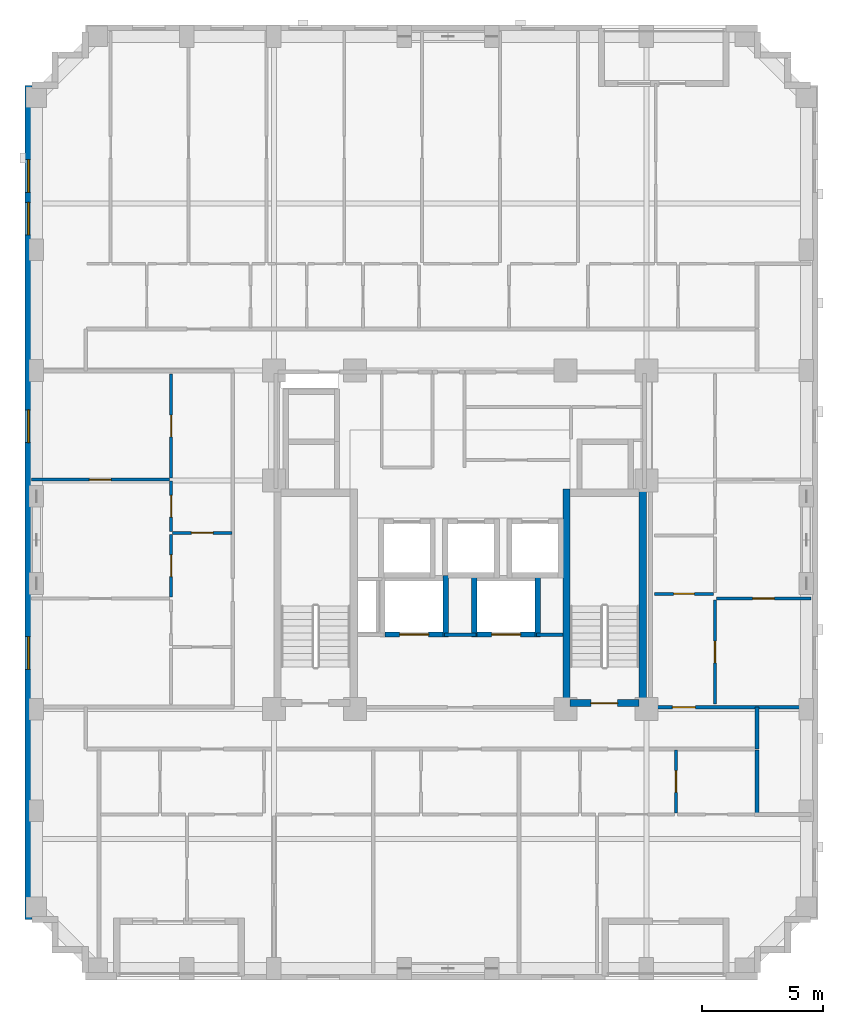
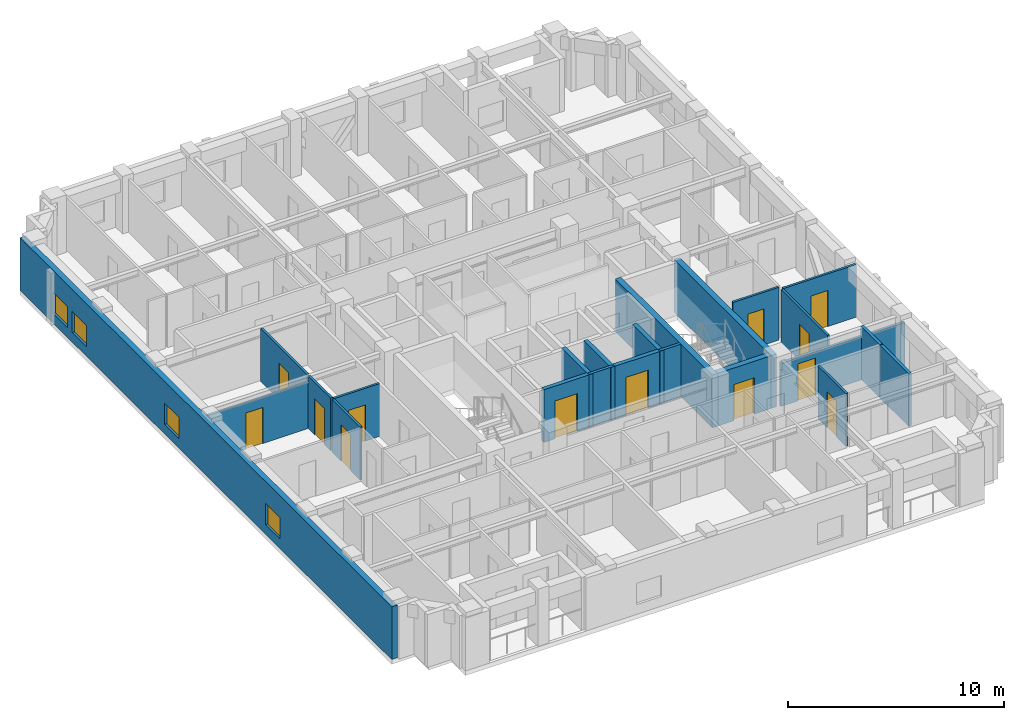
# One storey, part 4 of 11: 23 walls, 13 doors, 4 windows, 17 openings.
"""IFC4 building model written with IfcOpenShell, lengths in metres."""

from ifc_helpers import new_model, si_unit, derived_unit, direction, frame, frame_2d, origin, place, context, subcontext, project, spatial, rectangle, extrude, material, layer, layer_set, type_object, element, fill, save


model = new_model("IFC4")

# Units and contexts
model_context = context("Model", 3, precision=1e-05, world=origin(), true_north=direction((0.0, 1.0)))
body_context = subcontext(model_context, "Body", "Model", "MODEL_VIEW")
ifc_project = project(units=[si_unit("LENGTHUNIT", "METRE"), si_unit("AREAUNIT", "SQUARE_METRE"), si_unit("VOLUMEUNIT", "CUBIC_METRE"), si_unit("PLANEANGLEUNIT", "RADIAN"), si_unit("MASSUNIT", "GRAM", prefix="KILO"), derived_unit("THERMALTRANSMITTANCEUNIT", [(si_unit("MASSUNIT", "GRAM", prefix="KILO"), 1), (si_unit("TIMEUNIT", "SECOND"), -3), (si_unit("THERMODYNAMICTEMPERATUREUNIT", "KELVIN"), -1)])], contexts=[model_context])

# Site, building, storey
site_placement = place(None, origin())
site = spatial("IfcSite", under=ifc_project, at=site_placement, CompositionType="ELEMENT")
building_placement = place(site_placement, origin())
building = spatial("IfcBuilding", under=site, at=building_placement, Name="Korrvale Station Residences", CompositionType="ELEMENT")
storey_placement = place(building_placement, frame((0.0, 0.0, 156.89990234375)))
storey = spatial("IfcBuildingStorey", under=building, at=storey_placement, Name="L45", CompositionType="ELEMENT", Elevation=156.89990234375)

# Walls
ifc_material_1 = material(Name="Concrete C60/75", Category="concrete")
ifc_layer_1 = layer(ifc_material_1, 0.300048828125, Name="Concrete C60/75")
ifc_layer_set_1 = layer_set([ifc_layer_1], Name="Concrete C60/75")
wall_type_1 = type_object("IfcWallType", Name="WAL-CORE-300-C60", PredefinedType="SHEAR", material=ifc_layer_set_1)
for number, where, z_axis, x_axis, name in (
    (1, (29.89990234375, 15.10009765625, 0.0), (0.0, 0.0, 1.0), (0.0, 1.0, 0.0), "L45 ST-2 Core Shear Wall West"),
    (2, (33.050048828125, 15.10009765625, 0.0), (0.0, 0.0, 1.0), (0.0, 1.0, 0.0), "L45 ST-2 Core Shear Wall East"),
):
    element("IfcWall", number, at=place(storey_placement, frame(where, z_axis=z_axis, x_axis=x_axis)), inside=storey, type_object=wall_type_1, Name=name, PredefinedType="SHEAR", context=body_context, shape_type="SweptSolid", body=[
        extrude(rectangle(XDim=9.0, YDim=0.300048828125, at=frame_2d((4.5, 0.0))), origin(), (0.0, 0.0, 1.0), 2.989990234375),
    ])

# Wall, opening, door
wall_1_placement = place(storey_placement, frame((30.050048828125, 15.25, 0.0), z_axis=(0.0, 0.0, 1.0), x_axis=(1.0, 0.0, 0.0)))
wall_1 = element("IfcWall", 3, at=wall_1_placement, inside=storey, type_object=wall_type_1, Name="L45 ST-2 Core Shear Wall South", PredefinedType="SHEAR", context=body_context, shape_type="SweptSolid", body=[
    extrude(rectangle(XDim=2.849853515625, YDim=0.300048828125, at=frame_2d((1.4248046875, 0.0))), origin(), (0.0, 0.0, 1.0), 2.989990234375),
])
opening_1_placement = place(wall_1_placement, frame((0.860107421875, 0.0, 0.0)))
opening_1 = element("IfcOpeningElement", 4, at=opening_1_placement, cuts=wall_1, Name="Opening SD-1100", PredefinedType="OPENING", context=body_context, shape_type="SweptSolid", body=[
    extrude(rectangle(XDim=1.10009765625, YDim=2.050048828125, at=frame_2d((0.550048828125, 1.02490234375))), frame((0.0, 0.16015625, 0.0), z_axis=(0.0, -1.0, 0.0), x_axis=(1.0, 0.0, 0.0)), (0.0, 0.0, 1.0), 0.320068359375),
])
ifc_material_2 = material(Name="Hollow-metal fire-rated stair door with closer", Category="steel")
door_type_1 = type_object("IfcDoorType", Name="DR-STAIR-1100", OperationType="NOTDEFINED", PredefinedType="DOOR", material=ifc_material_2)
door_1_placement = place(opening_1_placement, origin())
door_1 = element("IfcDoor", 5, at=door_1_placement, inside=storey, type_object=door_type_1, Name="L45 ST-2 Exit Stair Door", OperationType="SINGLE_SWING_RIGHT", OverallHeight=2.050048828125, OverallWidth=1.10009765625, PredefinedType="DOOR", context=body_context, shape_type="SweptSolid", body=[
    extrude(rectangle(XDim=1.10009765625, YDim=2.050048828125, at=frame_2d((0.550048828125, 1.02490234375))), frame((0.0, 0.02490234375, 0.0), z_axis=(0.0, -1.0, 0.0), x_axis=(1.0, 0.0, 0.0)), (0.0, 0.0, 1.0), 0.050048828125),
])
fill(opening_1, door_1)

# Wall, openings, windows
ifc_material_3 = material(Name="Precast concrete C45/55", Category="concrete")
ifc_layer_2 = layer(ifc_material_3, 0.300048828125, Name="Precast concrete C45/55")
ifc_layer_set_2 = layer_set([ifc_layer_2], Name="Precast concrete C45/55")
wall_type_2 = type_object("IfcWallType", Name="WAL-EXT-PC300", PredefinedType="SOLIDWALL", material=ifc_layer_set_2)
wall_2_placement = place(storey_placement, frame((7.64990234375, 6.300048828125, 0.0), z_axis=(0.0, 0.0, 1.0), x_axis=(0.0, 1.0, 0.0)))
wall_2 = element("IfcWall", 6, at=wall_2_placement, inside=storey, type_object=wall_type_2, Name="L45 West Exterior Precast Wall 1", PredefinedType="SOLIDWALL", context=body_context, shape_type="SweptSolid", body=[
    extrude(rectangle(XDim=34.5, YDim=0.300048828125, at=frame_2d((17.25, 0.0))), origin(), (0.0, 0.0, 1.0), 2.989990234375),
])
opening_2_placement = place(wall_2_placement, frame((30.074951171875, 0.0, 0.550048828125)))
opening_2 = element("IfcOpeningElement", 7, at=opening_2_placement, cuts=wall_2, Name="Opening W-10", PredefinedType="OPENING", context=body_context, shape_type="SweptSolid", body=[
    extrude(rectangle(XDim=1.35009765625, YDim=1.199951171875, at=frame_2d((0.675048828125, 0.60009765625))), frame((0.0, 0.16015625, 0.0), z_axis=(0.0, -1.0, 0.0), x_axis=(1.0, 0.0, 0.0)), (0.0, 0.0, 1.0), 0.320068359375),
])
opening_3_placement = place(wall_2_placement, frame((28.31005859375, 0.0, 0.550048828125)))
opening_3 = element("IfcOpeningElement", 8, at=opening_3_placement, cuts=wall_2, Name="Opening W-10", PredefinedType="OPENING", context=body_context, shape_type="SweptSolid", body=[
    extrude(rectangle(XDim=1.35009765625, YDim=1.199951171875, at=frame_2d((0.675048828125, 0.60009765625))), frame((0.0, 0.16015625, 0.0), z_axis=(0.0, -1.0, 0.0), x_axis=(1.0, 0.0, 0.0)), (0.0, 0.0, 1.0), 0.320068359375),
])
opening_4_placement = place(wall_2_placement, frame((10.35009765625, 0.0, 0.550048828125)))
opening_4 = element("IfcOpeningElement", 9, at=opening_4_placement, cuts=wall_2, Name="Opening W-10", PredefinedType="OPENING", context=body_context, shape_type="SweptSolid", body=[
    extrude(rectangle(XDim=1.35009765625, YDim=1.199951171875, at=frame_2d((0.675048828125, 0.60009765625))), frame((0.0, 0.16015625, 0.0), z_axis=(0.0, -1.0, 0.0), x_axis=(1.0, 0.0, 0.0)), (0.0, 0.0, 1.0), 0.320068359375),
])
opening_5_placement = place(wall_2_placement, frame((19.72509765625, 0.0, 0.550048828125)))
opening_5 = element("IfcOpeningElement", 10, at=opening_5_placement, cuts=wall_2, Name="Opening W-10", PredefinedType="OPENING", context=body_context, shape_type="SweptSolid", body=[
    extrude(rectangle(XDim=1.35009765625, YDim=1.199951171875, at=frame_2d((0.675048828125, 0.60009765625))), frame((0.0, 0.16015625, 0.0), z_axis=(0.0, -1.0, 0.0), x_axis=(1.0, 0.0, 0.0)), (0.0, 0.0, 1.0), 0.320068359375),
])
ifc_material_4 = material(Name="Thermally broken aluminium frame with triple low-e glazing", Category="aluminium")
window_type = type_object("IfcWindowType", Name="WIN-W10", PartitioningType="SINGLE_PANEL", PredefinedType="WINDOW", material=ifc_material_4)
window_1_placement = place(opening_2_placement, origin())
window_1 = element("IfcWindow", 11, at=window_1_placement, inside=storey, type_object=window_type, Name="L45 Punched Window 06", OverallHeight=1.199951171875, OverallWidth=1.35009765625, PartitioningType="SINGLE_PANEL", PredefinedType="WINDOW", context=body_context, shape_type="SweptSolid", body=[
    extrude(rectangle(XDim=1.35009765625, YDim=1.199951171875, at=frame_2d((0.675048828125, 0.60009765625))), frame((0.0, 0.030029296875, 0.0), z_axis=(0.0, -1.0, 0.0), x_axis=(1.0, 0.0, 0.0)), (0.0, 0.0, 1.0), 0.06005859375),
])
fill(opening_2, window_1)
window_2_placement = place(opening_3_placement, origin())
window_2 = element("IfcWindow", 12, at=window_2_placement, inside=storey, type_object=window_type, Name="L45 Punched Window 07", OverallHeight=1.199951171875, OverallWidth=1.35009765625, PartitioningType="SINGLE_PANEL", PredefinedType="WINDOW", context=body_context, shape_type="SweptSolid", body=[
    extrude(rectangle(XDim=1.35009765625, YDim=1.199951171875, at=frame_2d((0.675048828125, 0.60009765625))), frame((0.0, 0.030029296875, 0.0), z_axis=(0.0, -1.0, 0.0), x_axis=(1.0, 0.0, 0.0)), (0.0, 0.0, 1.0), 0.06005859375),
])
fill(opening_3, window_2)
window_3_placement = place(opening_4_placement, origin())
window_3 = element("IfcWindow", 13, at=window_3_placement, inside=storey, type_object=window_type, Name="L45 Punched Window 16", OverallHeight=1.199951171875, OverallWidth=1.35009765625, PartitioningType="SINGLE_PANEL", PredefinedType="WINDOW", context=body_context, shape_type="SweptSolid", body=[
    extrude(rectangle(XDim=1.35009765625, YDim=1.199951171875, at=frame_2d((0.675048828125, 0.60009765625))), frame((0.0, 0.030029296875, 0.0), z_axis=(0.0, -1.0, 0.0), x_axis=(1.0, 0.0, 0.0)), (0.0, 0.0, 1.0), 0.06005859375),
])
fill(opening_4, window_3)
window_4_placement = place(opening_5_placement, origin())
window_4 = element("IfcWindow", 14, at=window_4_placement, inside=storey, type_object=window_type, Name="L45 Punched Window 17", OverallHeight=1.199951171875, OverallWidth=1.35009765625, PartitioningType="SINGLE_PANEL", PredefinedType="WINDOW", context=body_context, shape_type="SweptSolid", body=[
    extrude(rectangle(XDim=1.35009765625, YDim=1.199951171875, at=frame_2d((0.675048828125, 0.60009765625))), frame((0.0, 0.030029296875, 0.0), z_axis=(0.0, -1.0, 0.0), x_axis=(1.0, 0.0, 0.0)), (0.0, 0.0, 1.0), 0.06005859375),
])
fill(opening_5, window_4)

# Wall, opening, door
ifc_material_5 = material(Name="Acoustic steel-stud gypsum board partition", Category="steel")
ifc_layer_3 = layer(ifc_material_5, 0.1201171875, Name="Acoustic steel-stud gypsum board partition")
ifc_layer_set_3 = layer_set([ifc_layer_3], Name="Acoustic steel-stud gypsum board partition")
wall_type_3 = type_object("IfcWallType", Name="WAL-PART-125", PredefinedType="PARTITIONING", material=ifc_layer_set_3)
wall_3_placement = place(storey_placement, frame((34.429931640625, 10.7099609375, 0.0), z_axis=(0.0, 0.0, 1.0), x_axis=(0.0, 1.0, 0.0)))
wall_3 = element("IfcWall", 15, at=wall_3_placement, inside=storey, type_object=wall_type_3, Name="L45 Suite Partition U03-V12", PredefinedType="PARTITIONING", context=body_context, shape_type="SweptSolid", body=[
    extrude(rectangle(XDim=2.60009765625, YDim=0.1201171875, at=frame_2d((1.300048828125, 0.0))), origin(), (0.0, 0.0, 1.0), 2.989990234375),
])
opening_6_placement = place(wall_3_placement, frame((0.85009765625, 0.0, 0.0)))
opening_6 = element("IfcOpeningElement", 16, at=opening_6_placement, cuts=wall_3, Name="Opening DI-900", PredefinedType="OPENING", context=body_context, shape_type="SweptSolid", body=[
    extrude(rectangle(XDim=0.89990234375, YDim=2.050048828125, at=frame_2d((0.449951171875, 1.02490234375))), frame((0.0, 0.070068359375, 0.0), z_axis=(0.0, -1.0, 0.0), x_axis=(1.0, 0.0, 0.0)), (0.0, 0.0, 1.0), 0.14013671875),
])
ifc_material_6 = material(Name="Painted solid-core timber interior room door", Category="wood")
door_type_2 = type_object("IfcDoorType", Name="DR-INT-900", OperationType="NOTDEFINED", PredefinedType="DOOR", material=ifc_material_6)
door_2_placement = place(opening_6_placement, origin())
door_2 = element("IfcDoor", 17, at=door_2_placement, inside=storey, type_object=door_type_2, Name="L45 Studio Apartment L45-U03 Kitchen Door", OperationType="SINGLE_SWING_RIGHT", OverallHeight=2.050048828125, OverallWidth=0.89990234375, PredefinedType="DOOR", context=body_context, shape_type="SweptSolid", body=[
    extrude(rectangle(XDim=0.89990234375, YDim=2.050048828125, at=frame_2d((0.449951171875, 1.02490234375))), frame((0.0, 0.02490234375, 0.0), z_axis=(0.0, -1.0, 0.0), x_axis=(1.0, 0.0, 0.0)), (0.0, 0.0, 1.0), 0.050048828125),
])
fill(opening_6, door_2)

wall_4_placement = place(storey_placement, frame((13.610107421875, 22.2900390625, 0.0), z_axis=(0.0, 0.0, 1.0), x_axis=(1.0, 0.0, 0.0)))
wall_4 = element("IfcWall", 18, at=wall_4_placement, inside=storey, type_object=wall_type_3, Name="L45 Suite Partition U05-H02", PredefinedType="PARTITIONING", context=body_context, shape_type="SweptSolid", body=[
    extrude(rectangle(XDim=2.449951171875, YDim=0.1201171875, at=frame_2d((1.22509765625, 0.0))), origin(), (0.0, 0.0, 1.0), 2.989990234375),
])
opening_7_placement = place(wall_4_placement, frame((0.77490234375, 0.0, 0.0)))
opening_7 = element("IfcOpeningElement", 19, at=opening_7_placement, cuts=wall_4, Name="Opening DI-900", PredefinedType="OPENING", context=body_context, shape_type="SweptSolid", body=[
    extrude(rectangle(XDim=0.89990234375, YDim=2.050048828125, at=frame_2d((0.449951171875, 1.02490234375))), frame((0.0, 0.070068359375, 0.0), z_axis=(0.0, -1.0, 0.0), x_axis=(1.0, 0.0, 0.0)), (0.0, 0.0, 1.0), 0.14013671875),
])
door_3_placement = place(opening_7_placement, origin())
door_3 = element("IfcDoor", 20, at=door_3_placement, inside=storey, type_object=door_type_2, Name="L45 Apartment 2BR L45-U05 Wardrobe Storage Room Door", OperationType="SINGLE_SWING_LEFT", OverallHeight=2.050048828125, OverallWidth=0.89990234375, PredefinedType="DOOR", context=body_context, shape_type="SweptSolid", body=[
    extrude(rectangle(XDim=0.89990234375, YDim=2.050048828125, at=frame_2d((0.449951171875, 1.02490234375))), frame((0.0, 0.02490234375, 0.0), z_axis=(0.0, -1.0, 0.0), x_axis=(1.0, 0.0, 0.0)), (0.0, 0.0, 1.0), 0.050048828125),
])
fill(opening_7, door_3)

wall_5_placement = place(storey_placement, frame((13.550048828125, 22.35009765625, 0.0), z_axis=(0.0, 0.0, 1.0), x_axis=(0.0, 1.0, 0.0)))
wall_5 = element("IfcWall", 21, at=wall_5_placement, inside=storey, type_object=wall_type_3, Name="L45 Suite Partition U05-V04", PredefinedType="PARTITIONING", context=body_context, shape_type="SweptSolid", body=[
    extrude(rectangle(XDim=2.081787109375, YDim=0.1201171875, at=frame_2d((1.041015625, 0.0))), origin(), (0.0, 0.0, 1.0), 2.989990234375),
])
opening_8_placement = place(wall_5_placement, frame((0.591064453125, 0.0, 0.0)))
opening_8 = element("IfcOpeningElement", 22, at=opening_8_placement, cuts=wall_5, Name="Opening DI-900", PredefinedType="OPENING", context=body_context, shape_type="SweptSolid", body=[
    extrude(rectangle(XDim=0.89990234375, YDim=2.050048828125, at=frame_2d((0.449951171875, 1.02490234375))), frame((0.0, 0.070068359375, 0.0), z_axis=(0.0, -1.0, 0.0), x_axis=(1.0, 0.0, 0.0)), (0.0, 0.0, 1.0), 0.14013671875),
])
door_4_placement = place(opening_8_placement, origin())
door_4 = element("IfcDoor", 23, at=door_4_placement, inside=storey, type_object=door_type_2, Name="L45 Apartment 2BR L45-U05 Wardrobe Storage Room Door", OperationType="SINGLE_SWING_RIGHT", OverallHeight=2.050048828125, OverallWidth=0.89990234375, PredefinedType="DOOR", context=body_context, shape_type="SweptSolid", body=[
    extrude(rectangle(XDim=0.89990234375, YDim=2.050048828125, at=frame_2d((0.449951171875, 1.02490234375))), frame((0.0, 0.02490234375, 0.0), z_axis=(0.0, -1.0, 0.0), x_axis=(1.0, 0.0, 0.0)), (0.0, 0.0, 1.0), 0.050048828125),
])
fill(opening_8, door_4)

wall_6_placement = place(storey_placement, frame((13.550048828125, 24.552001953125, 0.0), z_axis=(0.0, 0.0, 1.0), x_axis=(0.0, 1.0, 0.0)))
wall_6 = element("IfcWall", 24, at=wall_6_placement, inside=storey, type_object=wall_type_3, Name="L45 Suite Partition U05-V05", PredefinedType="PARTITIONING", context=body_context, shape_type="SweptSolid", body=[
    extrude(rectangle(XDim=4.30810546875, YDim=0.1201171875, at=frame_2d((2.154052734375, 0.0))), origin(), (0.0, 0.0, 1.0), 2.989990234375),
])
opening_9_placement = place(wall_6_placement, frame((1.7041015625, 0.0, 0.0)))
opening_9 = element("IfcOpeningElement", 25, at=opening_9_placement, cuts=wall_6, Name="Opening DI-900", PredefinedType="OPENING", context=body_context, shape_type="SweptSolid", body=[
    extrude(rectangle(XDim=0.89990234375, YDim=2.050048828125, at=frame_2d((0.449951171875, 1.02490234375))), frame((0.0, 0.070068359375, 0.0), z_axis=(0.0, -1.0, 0.0), x_axis=(1.0, 0.0, 0.0)), (0.0, 0.0, 1.0), 0.14013671875),
])
door_5_placement = place(opening_9_placement, origin())
door_5 = element("IfcDoor", 26, at=door_5_placement, inside=storey, type_object=door_type_2, Name="L45 Apartment 2BR L45-U05 Wardrobe Storage Room Door", OperationType="SINGLE_SWING_LEFT", OverallHeight=2.050048828125, OverallWidth=0.89990234375, PredefinedType="DOOR", context=body_context, shape_type="SweptSolid", body=[
    extrude(rectangle(XDim=0.89990234375, YDim=2.050048828125, at=frame_2d((0.449951171875, 1.02490234375))), frame((0.0, 0.02490234375, 0.0), z_axis=(0.0, -1.0, 0.0), x_axis=(1.0, 0.0, 0.0)), (0.0, 0.0, 1.0), 0.050048828125),
])
fill(opening_9, door_5)

wall_7_placement = place(storey_placement, frame((13.550048828125, 19.637939453125, 0.0), z_axis=(0.0, 0.0, 1.0), x_axis=(0.0, 1.0, 0.0)))
wall_7 = element("IfcWall", 27, at=wall_7_placement, inside=storey, type_object=wall_type_3, Name="L45 Suite Partition U05-V24", PredefinedType="PARTITIONING", context=body_context, shape_type="SweptSolid", body=[
    extrude(rectangle(XDim=2.592041015625, YDim=0.1201171875, at=frame_2d((1.2958984375, 0.0))), origin(), (0.0, 0.0, 1.0), 2.989990234375),
])
opening_10_placement = place(wall_7_placement, frame((0.845947265625, 0.0, 0.0)))
opening_10 = element("IfcOpeningElement", 28, at=opening_10_placement, cuts=wall_7, Name="Opening DI-900", PredefinedType="OPENING", context=body_context, shape_type="SweptSolid", body=[
    extrude(rectangle(XDim=0.89990234375, YDim=2.050048828125, at=frame_2d((0.449951171875, 1.02490234375))), frame((0.0, 0.070068359375, 0.0), z_axis=(0.0, -1.0, 0.0), x_axis=(1.0, 0.0, 0.0)), (0.0, 0.0, 1.0), 0.14013671875),
])
door_6_placement = place(opening_10_placement, origin())
door_6 = element("IfcDoor", 29, at=door_6_placement, inside=storey, type_object=door_type_2, Name="L45 Apartment 2BR L45-U05 Kitchen Door", OperationType="SINGLE_SWING_RIGHT", OverallHeight=2.050048828125, OverallWidth=0.89990234375, PredefinedType="DOOR", context=body_context, shape_type="SweptSolid", body=[
    extrude(rectangle(XDim=0.89990234375, YDim=2.050048828125, at=frame_2d((0.449951171875, 1.02490234375))), frame((0.0, 0.02490234375, 0.0), z_axis=(0.0, -1.0, 0.0), x_axis=(1.0, 0.0, 0.0)), (0.0, 0.0, 1.0), 0.050048828125),
])
fill(opening_10, door_6)

wall_8_placement = place(storey_placement, frame((7.780029296875, 24.491943359375, 0.0), z_axis=(0.0, 0.0, 1.0), x_axis=(1.0, 0.0, 0.0)))
wall_8 = element("IfcWall", 30, at=wall_8_placement, inside=storey, type_object=wall_type_3, Name="L45 Suite Partition U05-H45", PredefinedType="PARTITIONING", context=body_context, shape_type="SweptSolid", body=[
    extrude(rectangle(XDim=5.7099609375, YDim=0.1201171875, at=frame_2d((2.85498046875, 0.0))), origin(), (0.0, 0.0, 1.0), 2.62109375),
])
opening_11_placement = place(wall_8_placement, frame((2.389892578125, 0.0, 0.0)))
opening_11 = element("IfcOpeningElement", 31, at=opening_11_placement, cuts=wall_8, Name="Opening DI-900", PredefinedType="OPENING", context=body_context, shape_type="SweptSolid", body=[
    extrude(rectangle(XDim=0.89990234375, YDim=2.050048828125, at=frame_2d((0.449951171875, 1.02490234375))), frame((0.0, 0.070068359375, 0.0), z_axis=(0.0, -1.0, 0.0), x_axis=(1.0, 0.0, 0.0)), (0.0, 0.0, 1.0), 0.14013671875),
])
door_7_placement = place(opening_11_placement, origin())
door_7 = element("IfcDoor", 32, at=door_7_placement, inside=storey, type_object=door_type_2, Name="L45 Apartment 2BR L45-U05 Living and Dining Room Door", OperationType="SINGLE_SWING_RIGHT", OverallHeight=2.050048828125, OverallWidth=0.89990234375, PredefinedType="DOOR", context=body_context, shape_type="SweptSolid", body=[
    extrude(rectangle(XDim=0.89990234375, YDim=2.050048828125, at=frame_2d((0.449951171875, 1.02490234375))), frame((0.0, 0.02490234375, 0.0), z_axis=(0.0, -1.0, 0.0), x_axis=(1.0, 0.0, 0.0)), (0.0, 0.0, 1.0), 0.050048828125),
])
fill(opening_11, door_7)

wall_9_placement = place(storey_placement, frame((33.530029296875, 19.77001953125, 0.0), z_axis=(0.0, 0.0, 1.0), x_axis=(1.0, 0.0, 0.0)))
wall_9 = element("IfcWall", 33, at=wall_9_placement, inside=storey, type_object=wall_type_3, Name="L45 Suite Partition U06-H12", PredefinedType="PARTITIONING", context=body_context, shape_type="SweptSolid", body=[
    extrude(rectangle(XDim=2.449951171875, YDim=0.1201171875, at=frame_2d((1.22509765625, 0.0))), origin(), (0.0, 0.0, 1.0), 2.989990234375),
])
opening_12_placement = place(wall_9_placement, frame((0.794921875, 0.0, 0.0)))
opening_12 = element("IfcOpeningElement", 34, at=opening_12_placement, cuts=wall_9, Name="Opening DB-860", PredefinedType="OPENING", context=body_context, shape_type="SweptSolid", body=[
    extrude(rectangle(XDim=0.860107421875, YDim=2.050048828125, at=frame_2d((0.43017578125, 1.02490234375))), frame((0.0, 0.070068359375, 0.0), z_axis=(0.0, -1.0, 0.0), x_axis=(1.0, 0.0, 0.0)), (0.0, 0.0, 1.0), 0.14013671875),
])
ifc_material_7 = material(Name="Moisture-resistant solid-core bathroom door", Category="timber")
door_type_3 = type_object("IfcDoorType", Name="DR-BATH-860", OperationType="NOTDEFINED", PredefinedType="DOOR", material=ifc_material_7)
door_8_placement = place(opening_12_placement, origin())
door_8 = element("IfcDoor", 35, at=door_8_placement, inside=storey, type_object=door_type_3, Name="L45 Apartment 2BR L45-U06 Bathroom Door", OperationType="SINGLE_SWING_RIGHT", OverallHeight=2.050048828125, OverallWidth=0.860107421875, PredefinedType="DOOR", context=body_context, shape_type="SweptSolid", body=[
    extrude(rectangle(XDim=0.860107421875, YDim=2.050048828125, at=frame_2d((0.43017578125, 1.02490234375))), frame((0.0, 0.02490234375, 0.0), z_axis=(0.0, -1.0, 0.0), x_axis=(1.0, 0.0, 0.0)), (0.0, 0.0, 1.0), 0.050048828125),
])
fill(opening_12, door_8)

wall_10_placement = place(storey_placement, frame((36.0400390625, 15.2099609375, 0.0), z_axis=(0.0, 0.0, 1.0), x_axis=(0.0, 1.0, 0.0)))
wall_10 = element("IfcWall", 36, at=wall_10_placement, inside=storey, type_object=wall_type_3, Name="L45 Suite Partition U06-V23", PredefinedType="PARTITIONING", context=body_context, shape_type="SweptSolid", body=[
    extrude(rectangle(XDim=4.30810546875, YDim=0.1201171875, at=frame_2d((2.154052734375, 0.0))), origin(), (0.0, 0.0, 1.0), 2.989990234375),
])
opening_13_placement = place(wall_10_placement, frame((1.7041015625, 0.0, 0.0)))
opening_13 = element("IfcOpeningElement", 37, at=opening_13_placement, cuts=wall_10, Name="Opening DI-900", PredefinedType="OPENING", context=body_context, shape_type="SweptSolid", body=[
    extrude(rectangle(XDim=0.89990234375, YDim=2.050048828125, at=frame_2d((0.449951171875, 1.02490234375))), frame((0.0, 0.070068359375, 0.0), z_axis=(0.0, -1.0, 0.0), x_axis=(1.0, 0.0, 0.0)), (0.0, 0.0, 1.0), 0.14013671875),
])
door_9_placement = place(opening_13_placement, origin())
door_9 = element("IfcDoor", 38, at=door_9_placement, inside=storey, type_object=door_type_2, Name="L45 Apartment 2BR L45-U06 Kitchen Door", OperationType="SINGLE_SWING_LEFT", OverallHeight=2.050048828125, OverallWidth=0.89990234375, PredefinedType="DOOR", context=body_context, shape_type="SweptSolid", body=[
    extrude(rectangle(XDim=0.89990234375, YDim=2.050048828125, at=frame_2d((0.449951171875, 1.02490234375))), frame((0.0, 0.02490234375, 0.0), z_axis=(0.0, -1.0, 0.0), x_axis=(1.0, 0.0, 0.0)), (0.0, 0.0, 1.0), 0.050048828125),
])
fill(opening_13, door_9)

wall_11_placement = place(storey_placement, frame((36.10009765625, 19.577880859375, 0.0), z_axis=(0.0, 0.0, 1.0), x_axis=(1.0, 0.0, 0.0)))
wall_11 = element("IfcWall", 39, at=wall_11_placement, inside=storey, type_object=wall_type_3, Name="L45 Suite Partition U06-H34", PredefinedType="PARTITIONING", context=body_context, shape_type="SweptSolid", body=[
    extrude(rectangle(XDim=3.919921875, YDim=0.1201171875, at=frame_2d((1.9599609375, 0.0))), origin(), (0.0, 0.0, 1.0), 2.989990234375),
])
opening_14_placement = place(wall_11_placement, frame((1.4951171875, 0.0, 0.0)))
opening_14 = element("IfcOpeningElement", 40, at=opening_14_placement, cuts=wall_11, Name="Opening DI-900", PredefinedType="OPENING", context=body_context, shape_type="SweptSolid", body=[
    extrude(rectangle(XDim=0.89990234375, YDim=2.050048828125, at=frame_2d((0.449951171875, 1.02490234375))), frame((0.0, 0.070068359375, 0.0), z_axis=(0.0, -1.0, 0.0), x_axis=(1.0, 0.0, 0.0)), (0.0, 0.0, 1.0), 0.14013671875),
])
door_10_placement = place(opening_14_placement, origin())
door_10 = element("IfcDoor", 41, at=door_10_placement, inside=storey, type_object=door_type_2, Name="L45 Apartment 2BR L45-U06 Bedroom 1 Door", OperationType="SINGLE_SWING_RIGHT", OverallHeight=2.050048828125, OverallWidth=0.89990234375, PredefinedType="DOOR", context=body_context, shape_type="SweptSolid", body=[
    extrude(rectangle(XDim=0.89990234375, YDim=2.050048828125, at=frame_2d((0.449951171875, 1.02490234375))), frame((0.0, 0.02490234375, 0.0), z_axis=(0.0, -1.0, 0.0), x_axis=(1.0, 0.0, 0.0)), (0.0, 0.0, 1.0), 0.050048828125),
])
fill(opening_14, door_10)

# Walls
ifc_material_8 = material(Name="Fire-rated twin-stud gypsum and mineral wool shaftwall assembly", Category="gypsum")
ifc_layer_4 = layer(ifc_material_8, 0.159912109375, Name="Fire-rated twin-stud gypsum and mineral wool shaftwall assembly")
ifc_layer_set_4 = layer_set([ifc_layer_4], Name="Fire-rated twin-stud gypsum and mineral wool shaftwall assembly")
wall_type_4 = type_object("IfcWallType", Name="WAL-PART-200", PredefinedType="PARTITIONING", material=ifc_layer_set_4)
wall_12_placement = place(storey_placement, frame((24.85009765625, 18.080078125, 0.0), z_axis=(0.0, 0.0, 1.0), x_axis=(1.0, 0.0, 0.0)))
element("IfcWall", 42, at=wall_12_placement, inside=storey, type_object=wall_type_4, Name="L45 Core Partition CW-FFL-N2", PredefinedType="PARTITIONING", context=body_context, shape_type="SweptSolid", body=[
    extrude(rectangle(XDim=1.2998046875, YDim=0.159912109375, at=frame_2d((0.64990234375, 0.0))), origin(), (0.0, 0.0, 1.0), 2.989990234375),
])
wall_13_placement = place(storey_placement, frame((28.64990234375, 18.080078125, 0.0), z_axis=(0.0, 0.0, 1.0), x_axis=(1.0, 0.0, 0.0)))
element("IfcWall", 43, at=wall_13_placement, inside=storey, type_object=wall_type_4, Name="L45 Core Partition CW-FFL-N3", PredefinedType="PARTITIONING", context=body_context, shape_type="SweptSolid", body=[
    extrude(rectangle(XDim=1.10009765625, YDim=0.159912109375, at=frame_2d((0.550048828125, 0.0))), origin(), (0.0, 0.0, 1.0), 2.989990234375),
])
wall_14_placement = place(storey_placement, frame((37.780029296875, 13.35009765625, 0.0), z_axis=(0.0, 0.0, 1.0), x_axis=(0.0, 1.0, 0.0)))
element("IfcWall", 44, at=wall_14_placement, inside=storey, type_object=wall_type_4, Name="L45 Corridor South East Cap", PredefinedType="PARTITIONING", context=body_context, shape_type="SweptSolid", body=[
    extrude(rectangle(XDim=1.739990234375, YDim=0.159912109375, at=frame_2d((0.8701171875, 0.0))), origin(), (0.0, 0.0, 1.0), 2.989990234375),
])
wall_15_placement = place(storey_placement, frame((37.780029296875, 10.64990234375, 0.0), z_axis=(0.0, 0.0, 1.0), x_axis=(0.0, 1.0, 0.0)))
element("IfcWall", 45, at=wall_15_placement, inside=storey, type_object=wall_type_4, Name="L45 Corner Step Cheek U03-R", PredefinedType="PARTITIONING", context=body_context, shape_type="SweptSolid", body=[
    extrude(rectangle(XDim=2.66015625, YDim=0.159912109375, at=frame_2d((1.330078125, 0.0))), origin(), (0.0, 0.0, 1.0), 2.989990234375),
])

# Wall, opening, door
wall_16_placement = place(storey_placement, frame((33.3798828125, 15.080078125, 0.0), z_axis=(0.0, 0.0, 1.0), x_axis=(1.0, 0.0, 0.0)))
wall_16 = element("IfcWall", 46, at=wall_16_placement, inside=storey, type_object=wall_type_4, Name="L45 Side Suite South Entry Wall U06", PredefinedType="PARTITIONING", context=body_context, shape_type="SweptSolid", body=[
    extrude(rectangle(XDim=6.64013671875, YDim=0.159912109375, at=frame_2d((3.320068359375, 0.0))), origin(), (0.0, 0.0, 1.0), 2.442138671875),
])
opening_15_placement = place(wall_16_placement, frame((0.89990234375, 0.0, 0.0)))
opening_15 = element("IfcOpeningElement", 47, at=opening_15_placement, cuts=wall_16, Name="Opening UD-950", PredefinedType="OPENING", context=body_context, shape_type="SweptSolid", body=[
    extrude(rectangle(XDim=0.949951171875, YDim=2.10009765625, at=frame_2d((0.47509765625, 1.050048828125))), frame((0.0, 0.08984375, 0.0), z_axis=(0.0, -1.0, 0.0), x_axis=(1.0, 0.0, 0.0)), (0.0, 0.0, 1.0), 0.179931640625),
])
ifc_material_9 = material(Name="Solid-core acoustic oak apartment entrance door", Category="timber")
door_type_4 = type_object("IfcDoorType", Name="DR-UNIT-950", OperationType="NOTDEFINED", PredefinedType="DOOR", material=ifc_material_9)
door_11_placement = place(opening_15_placement, origin())
door_11 = element("IfcDoor", 48, at=door_11_placement, inside=storey, type_object=door_type_4, Name="L45 Apartment L45-U06 Entrance Door", OperationType="SINGLE_SWING_LEFT", OverallHeight=2.10009765625, OverallWidth=0.949951171875, PredefinedType="DOOR", context=body_context, shape_type="SweptSolid", body=[
    extrude(rectangle(XDim=0.949951171875, YDim=2.10009765625, at=frame_2d((0.47509765625, 1.050048828125))), frame((0.0, 0.02490234375, 0.0), z_axis=(0.0, -1.0, 0.0), x_axis=(1.0, 0.0, 0.0)), (0.0, 0.0, 1.0), 0.050048828125),
])
fill(opening_15, door_11)

ifc_layer_5 = layer(ifc_material_1, 0.219970703125, Name="Concrete C60/75")
ifc_layer_set_5 = layer_set([ifc_layer_5], Name="Concrete C60/75")
wall_type_5 = type_object("IfcWallType", Name="WAL-SHAFT-220-C60", PredefinedType="SHEAR", material=ifc_layer_set_5)
wall_17_placement = place(storey_placement, frame((22.39990234375, 18.090087890625, 0.0), z_axis=(0.0, 0.0, 1.0), x_axis=(1.0, 0.0, 0.0)))
wall_17 = element("IfcWall", 49, at=wall_17_placement, inside=storey, type_object=wall_type_5, Name="L45 Elevator FFL-1 Hoistway Wall South", PredefinedType="SHEAR", context=body_context, shape_type="SweptSolid", body=[
    extrude(rectangle(XDim=2.400146484375, YDim=0.219970703125, at=frame_2d((1.2001953125, 0.0))), origin(), (0.0, 0.0, 1.0), 2.989990234375),
])
opening_16_placement = place(wall_17_placement, frame((0.60009765625, 0.0, 0.0)))
opening_16 = element("IfcOpeningElement", 50, at=opening_16_placement, cuts=wall_17, Name="Opening LD-FF1200", PredefinedType="OPENING", context=body_context, shape_type="SweptSolid", body=[
    extrude(rectangle(XDim=1.199951171875, YDim=2.14990234375, at=frame_2d((0.60009765625, 1.074951171875))), frame((0.0, 0.1201171875, 0.0), z_axis=(0.0, -1.0, 0.0), x_axis=(1.0, 0.0, 0.0)), (0.0, 0.0, 1.0), 0.239990234375),
])
ifc_material_10 = material(Name="Stainless-steel firefighter elevator landing sliding door", Category="steel")
door_type_5 = type_object("IfcDoorType", Name="DR-LIFT-FF1200", OperationType="SLIDING_TO_LEFT", PredefinedType="DOOR", material=ifc_material_10)
door_12_placement = place(opening_16_placement, origin())
door_12 = element("IfcDoor", 51, at=door_12_placement, inside=storey, type_object=door_type_5, Name="L45 Elevator FFL-1 Sliding Landing Door", OperationType="SLIDING_TO_LEFT", OverallHeight=2.14990234375, OverallWidth=1.199951171875, PredefinedType="DOOR", context=body_context, shape_type="SweptSolid", body=[
    extrude(rectangle(XDim=1.199951171875, YDim=2.14990234375, at=frame_2d((0.60009765625, 1.074951171875))), frame((0.0, 0.02490234375, 0.0), z_axis=(0.0, -1.0, 0.0), x_axis=(1.0, 0.0, 0.0)), (0.0, 0.0, 1.0), 0.050048828125),
])
fill(opening_16, door_12)

# Wall
wall_18_placement = place(storey_placement, frame((24.909912109375, 17.97998046875, 0.0), z_axis=(0.0, 0.0, 1.0), x_axis=(0.0, 1.0, 0.0)))
element("IfcWall", 52, at=wall_18_placement, inside=storey, type_object=wall_type_5, Name="L45 Elevator FFL-1 Hoistway Wall East", PredefinedType="SHEAR", context=body_context, shape_type="SweptSolid", body=[
    extrude(rectangle(XDim=2.5400390625, YDim=0.219970703125, at=frame_2d((1.27001953125, 0.0))), origin(), (0.0, 0.0, 1.0), 2.989990234375),
])

# Wall, opening, door
wall_19_placement = place(storey_placement, frame((26.199951171875, 18.090087890625, 0.0), z_axis=(0.0, 0.0, 1.0), x_axis=(1.0, 0.0, 0.0)))
wall_19 = element("IfcWall", 53, at=wall_19_placement, inside=storey, type_object=wall_type_5, Name="L45 Elevator FFL-2 Hoistway Wall South", PredefinedType="SHEAR", context=body_context, shape_type="SweptSolid", body=[
    extrude(rectangle(XDim=2.400146484375, YDim=0.219970703125, at=frame_2d((1.2001953125, 0.0))), origin(), (0.0, 0.0, 1.0), 2.989990234375),
])
opening_17_placement = place(wall_19_placement, frame((0.60009765625, 0.0, 0.0)))
opening_17 = element("IfcOpeningElement", 54, at=opening_17_placement, cuts=wall_19, Name="Opening LD-FF1200", PredefinedType="OPENING", context=body_context, shape_type="SweptSolid", body=[
    extrude(rectangle(XDim=1.199951171875, YDim=2.14990234375, at=frame_2d((0.60009765625, 1.074951171875))), frame((0.0, 0.1201171875, 0.0), z_axis=(0.0, -1.0, 0.0), x_axis=(1.0, 0.0, 0.0)), (0.0, 0.0, 1.0), 0.239990234375),
])
door_13_placement = place(opening_17_placement, origin())
door_13 = element("IfcDoor", 55, at=door_13_placement, inside=storey, type_object=door_type_5, Name="L45 Elevator FFL-2 Sliding Landing Door", OperationType="SLIDING_TO_LEFT", OverallHeight=2.14990234375, OverallWidth=1.199951171875, PredefinedType="DOOR", context=body_context, shape_type="SweptSolid", body=[
    extrude(rectangle(XDim=1.199951171875, YDim=2.14990234375, at=frame_2d((0.60009765625, 1.074951171875))), frame((0.0, 0.02490234375, 0.0), z_axis=(0.0, -1.0, 0.0), x_axis=(1.0, 0.0, 0.0)), (0.0, 0.0, 1.0), 0.050048828125),
])
fill(opening_17, door_13)

# Walls
for number, where, z_axis, x_axis, name in (
    (56, (26.090087890625, 17.97998046875, 0.0), (0.0, 0.0, 1.0), (0.0, 1.0, 0.0), "L45 Elevator FFL-2 Hoistway Wall West"),
    (57, (28.7099609375, 17.97998046875, 0.0), (0.0, 0.0, 1.0), (0.0, 1.0, 0.0), "L45 Elevator FFL-2 Hoistway Wall East"),
):
    element("IfcWall", number, at=place(storey_placement, frame(where, z_axis=z_axis, x_axis=x_axis)), inside=storey, type_object=wall_type_5, Name=name, PredefinedType="SHEAR", context=body_context, shape_type="SweptSolid", body=[
        extrude(rectangle(XDim=2.5400390625, YDim=0.219970703125, at=frame_2d((1.27001953125, 0.0))), origin(), (0.0, 0.0, 1.0), 2.989990234375),
    ])

save(model, "model.ifc")
